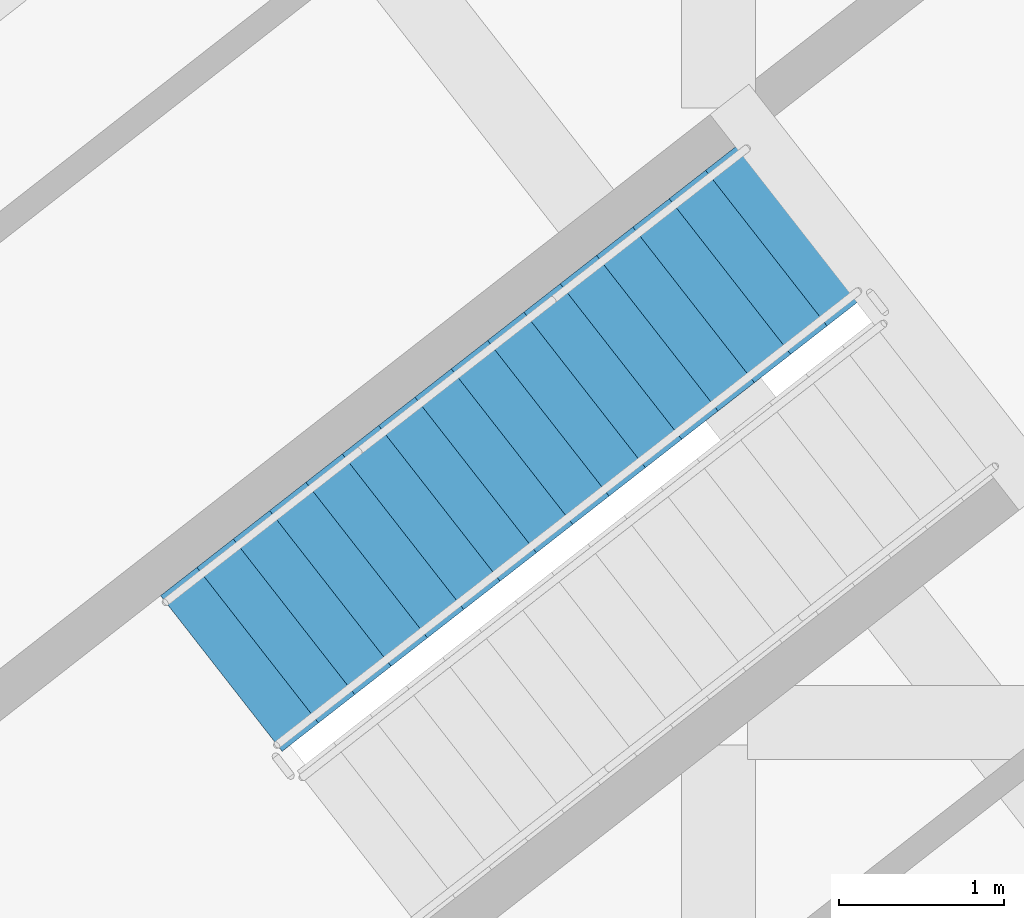
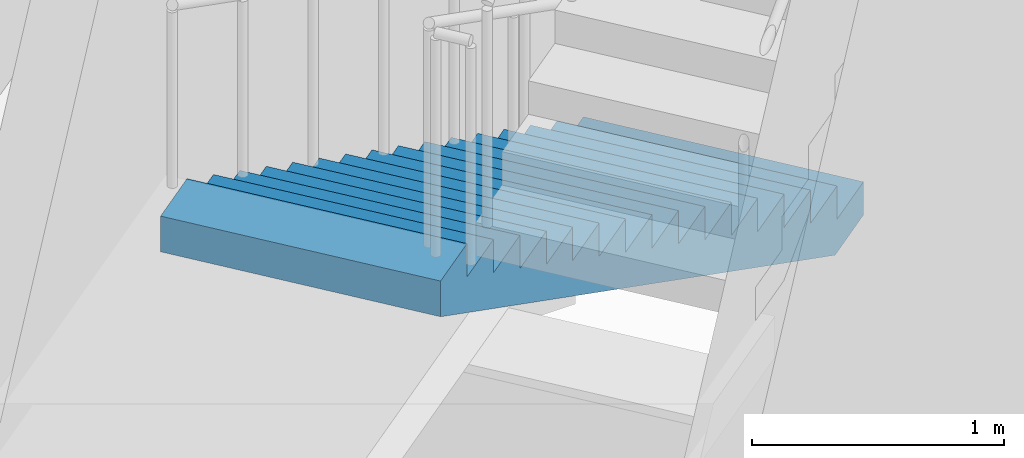
# One storey, part 19 of 23: 1 stair flight, 1 element without a shape of its own.
"""IFC4 building model written with IfcOpenShell, lengths in metres."""

from ifc_helpers import new_model, si_unit, direction, frame, origin, place, context, subcontext, project, spatial, faceted_brep, material, type_object, element, aggregate, save


model = new_model("IFC4")

# Units and contexts
model_context = context("Model", 3, precision=1e-05, world=origin(), true_north=direction((0.0, 1.0)))
body_context = subcontext(model_context, "Body", "Model", "MODEL_VIEW")
ifc_project = project(units=[si_unit("LENGTHUNIT", "METRE"), si_unit("AREAUNIT", "SQUARE_METRE"), si_unit("VOLUMEUNIT", "CUBIC_METRE"), si_unit("PLANEANGLEUNIT", "RADIAN"), si_unit("MASSUNIT", "GRAM", prefix="KILO")], contexts=[model_context])

# Site, building, storey
site_placement = place(None, origin())
site = spatial("IfcSite", under=ifc_project, at=site_placement, CompositionType="ELEMENT")
building_placement = place(site_placement, origin())
building = spatial("IfcBuilding", under=site, at=building_placement, Name="Tarsis Ring Headquarters", CompositionType="ELEMENT")
storey_placement = place(building_placement, frame((0.0, 0.0, 19.5)))
storey = spatial("IfcBuildingStorey", under=building, at=storey_placement, Name="L03", CompositionType="ELEMENT", Elevation=19.5)

# Stair, stair flight
ifc_material = material(Name="Concrete C40/50", Category="concrete")
stair_type = type_object("IfcStairType", Name="PO-ST", PredefinedType="HALF_TURN_STAIR", material=ifc_material)
stair_placement = place(storey_placement, origin())
stair = element("IfcStair", 1, at=stair_placement, inside=storey, type_object=stair_type, Name="L03 Podium stair", PredefinedType="HALF_TURN_STAIR")
stair_flight_type = type_object("IfcStairFlightType", Name="PO-STF", PredefinedType="STRAIGHT", material=ifc_material)
stair_flight_placement = place(storey_placement, frame((-17.48779296875, 48.052978515625, 0.0), z_axis=(0.0, 0.0, 1.0), x_axis=(-0.788276433435, -0.615321269331, 0.0)))
stair_flight = element("IfcStairFlight", 2, at=stair_flight_placement, type_object=stair_flight_type, Name="Stair PS4 flight 1", NumberOfRisers=17, NumberOfTreads=16, PredefinedType="STRAIGHT", RiserHeight=0.161764706, TreadLength=0.28, context=body_context, shape_type="Brep", body=[
    faceted_brep([(0.0, 0.60009765625, 0.0), (0.0, 0.60009765625, 0.161865234375), (0.280029296875, 0.60009765625, 0.161865234375), (0.280029296875, 0.60009765625, 0.323486328125), (0.56005859375, 0.60009765625, 0.323486328125), (0.56005859375, 0.60009765625, 0.4853515625), (0.840087890625, 0.60009765625, 0.4853515625), (0.840087890625, 0.60009765625, 0.64697265625), (1.1201171875, 0.60009765625, 0.64697265625), (1.1201171875, 0.60009765625, 0.808837890625), (1.39990234375, 0.60009765625, 0.808837890625), (1.39990234375, 0.60009765625, 0.970703125), (1.679931640625, 0.60009765625, 0.970703125), (1.679931640625, 0.60009765625, 1.13232421875), (1.9599609375, 0.60009765625, 1.13232421875), (1.9599609375, 0.60009765625, 1.294189453125), (2.239990234375, 0.60009765625, 1.294189453125), (2.239990234375, 0.60009765625, 1.455810546875), (2.52001953125, 0.60009765625, 1.455810546875), (2.52001953125, 0.60009765625, 1.61767578125), (2.800048828125, 0.60009765625, 1.61767578125), (2.800048828125, 0.60009765625, 1.779296875), (3.080078125, 0.60009765625, 1.779296875), (3.080078125, 0.60009765625, 1.941162109375), (3.360107421875, 0.60009765625, 1.941162109375), (3.360107421875, 0.60009765625, 2.10302734375), (3.639892578125, 0.60009765625, 2.10302734375), (3.639892578125, 0.60009765625, 2.2646484375), (3.919921875, 0.60009765625, 2.2646484375), (3.919921875, 0.60009765625, 2.426513671875), (4.199951171875, 0.60009765625, 2.426513671875), (4.199951171875, 0.60009765625, 2.588134765625), (4.47998046875, 0.60009765625, 2.588134765625), (4.47998046875, 0.60009765625, 2.4150390625), (0.299560546875, 0.60009765625, 0.0), (0.299560546875, -0.60009765625, 0.0), (4.47998046875, -0.60009765625, 2.4150390625), (4.47998046875, -0.60009765625, 2.588134765625), (4.199951171875, -0.60009765625, 2.588134765625), (4.199951171875, -0.60009765625, 2.426513671875), (3.919921875, -0.60009765625, 2.426513671875), (3.919921875, -0.60009765625, 2.2646484375), (3.639892578125, -0.60009765625, 2.2646484375), (3.639892578125, -0.60009765625, 2.10302734375), (3.360107421875, -0.60009765625, 2.10302734375), (3.360107421875, -0.60009765625, 1.941162109375), (3.080078125, -0.60009765625, 1.941162109375), (3.080078125, -0.60009765625, 1.779296875), (2.800048828125, -0.60009765625, 1.779296875), (2.800048828125, -0.60009765625, 1.61767578125), (2.52001953125, -0.60009765625, 1.61767578125), (2.52001953125, -0.60009765625, 1.455810546875), (2.239990234375, -0.60009765625, 1.455810546875), (2.239990234375, -0.60009765625, 1.294189453125), (1.9599609375, -0.60009765625, 1.294189453125), (1.9599609375, -0.60009765625, 1.13232421875), (1.679931640625, -0.60009765625, 1.13232421875), (1.679931640625, -0.60009765625, 0.970703125), (1.39990234375, -0.60009765625, 0.970703125), (1.39990234375, -0.60009765625, 0.808837890625), (1.1201171875, -0.60009765625, 0.808837890625), (1.1201171875, -0.60009765625, 0.64697265625), (0.840087890625, -0.60009765625, 0.64697265625), (0.840087890625, -0.60009765625, 0.4853515625), (0.56005859375, -0.60009765625, 0.4853515625), (0.56005859375, -0.60009765625, 0.323486328125), (0.280029296875, -0.60009765625, 0.323486328125), (0.280029296875, -0.60009765625, 0.161865234375), (0.0, -0.60009765625, 0.161865234375), (0.0, -0.60009765625, 0.0), (0.0, -0.300048828125, 0.161865234375), (0.0, -0.300048828125, 0.0), (0.0, 0.0, 0.161865234375), (0.0, 0.0, 0.0), (0.0, 0.300048828125, 0.161865234375), (0.0, 0.300048828125, 0.0), (0.280029296875, -0.300048828125, 0.161865234375), (0.280029296875, 0.0, 0.161865234375), (0.280029296875, 0.300048828125, 0.161865234375), (0.280029296875, -0.300048828125, 0.323486328125), (0.280029296875, 0.0, 0.323486328125), (0.280029296875, 0.300048828125, 0.323486328125), (0.56005859375, -0.300048828125, 0.323486328125), (0.56005859375, 0.0, 0.323486328125), (0.56005859375, 0.300048828125, 0.323486328125), (0.56005859375, -0.300048828125, 0.4853515625), (0.56005859375, 0.0, 0.4853515625), (0.56005859375, 0.300048828125, 0.4853515625), (0.840087890625, -0.300048828125, 0.4853515625), (0.840087890625, 0.0, 0.4853515625), (0.840087890625, 0.300048828125, 0.4853515625), (0.840087890625, -0.300048828125, 0.64697265625), (0.840087890625, 0.0, 0.64697265625), (0.840087890625, 0.300048828125, 0.64697265625), (1.1201171875, -0.300048828125, 0.64697265625), (1.1201171875, 0.0, 0.64697265625), (1.1201171875, 0.300048828125, 0.64697265625), (1.1201171875, -0.300048828125, 0.808837890625), (1.1201171875, 0.0, 0.808837890625), (1.1201171875, 0.300048828125, 0.808837890625), (1.39990234375, -0.300048828125, 0.808837890625), (1.39990234375, 0.0, 0.808837890625), (1.39990234375, 0.300048828125, 0.808837890625), (1.39990234375, -0.300048828125, 0.970703125), (1.39990234375, 0.0, 0.970703125), (1.39990234375, 0.300048828125, 0.970703125), (1.679931640625, -0.300048828125, 0.970703125), (1.679931640625, 0.0, 0.970703125), (1.679931640625, 0.300048828125, 0.970703125), (1.679931640625, -0.300048828125, 1.13232421875), (1.679931640625, 0.0, 1.13232421875), (1.679931640625, 0.300048828125, 1.13232421875), (1.9599609375, -0.300048828125, 1.13232421875), (1.9599609375, 0.0, 1.13232421875), (1.9599609375, 0.300048828125, 1.13232421875), (1.9599609375, -0.300048828125, 1.294189453125), (1.9599609375, 0.0, 1.294189453125), (1.9599609375, 0.300048828125, 1.294189453125), (2.239990234375, -0.300048828125, 1.294189453125), (2.239990234375, 0.0, 1.294189453125), (2.239990234375, 0.300048828125, 1.294189453125), (2.239990234375, -0.300048828125, 1.455810546875), (2.239990234375, 0.0, 1.455810546875), (2.239990234375, 0.300048828125, 1.455810546875), (2.52001953125, -0.300048828125, 1.455810546875), (2.52001953125, 0.0, 1.455810546875), (2.52001953125, 0.300048828125, 1.455810546875), (2.52001953125, -0.300048828125, 1.61767578125), (2.52001953125, 0.0, 1.61767578125), (2.52001953125, 0.300048828125, 1.61767578125), (2.800048828125, -0.300048828125, 1.61767578125), (2.800048828125, 0.0, 1.61767578125), (2.800048828125, 0.300048828125, 1.61767578125), (2.800048828125, -0.300048828125, 1.779296875), (2.800048828125, 0.0, 1.779296875), (2.800048828125, 0.300048828125, 1.779296875), (3.080078125, -0.300048828125, 1.779296875), (3.080078125, 0.0, 1.779296875), (3.080078125, 0.300048828125, 1.779296875), (3.080078125, -0.300048828125, 1.941162109375), (3.080078125, 0.0, 1.941162109375), (3.080078125, 0.300048828125, 1.941162109375), (3.360107421875, -0.300048828125, 1.941162109375), (3.360107421875, 0.0, 1.941162109375), (3.360107421875, 0.300048828125, 1.941162109375), (3.360107421875, -0.300048828125, 2.10302734375), (3.360107421875, 0.0, 2.10302734375), (3.360107421875, 0.300048828125, 2.10302734375), (3.639892578125, -0.300048828125, 2.10302734375), (3.639892578125, 0.0, 2.10302734375), (3.639892578125, 0.300048828125, 2.10302734375), (3.639892578125, -0.300048828125, 2.2646484375), (3.639892578125, 0.0, 2.2646484375), (3.639892578125, 0.300048828125, 2.2646484375), (3.919921875, -0.300048828125, 2.2646484375), (3.919921875, 0.0, 2.2646484375), (3.919921875, 0.300048828125, 2.2646484375), (3.919921875, -0.300048828125, 2.426513671875), (3.919921875, 0.0, 2.426513671875), (3.919921875, 0.300048828125, 2.426513671875), (4.199951171875, -0.300048828125, 2.426513671875), (4.199951171875, 0.0, 2.426513671875), (4.199951171875, 0.300048828125, 2.426513671875), (4.199951171875, -0.300048828125, 2.588134765625), (4.199951171875, 0.0, 2.588134765625), (4.199951171875, 0.300048828125, 2.588134765625), (4.47998046875, -0.300048828125, 2.588134765625), (4.47998046875, 0.0, 2.588134765625), (4.47998046875, 0.300048828125, 2.588134765625), (4.47998046875, -0.300048828125, 2.4150390625), (4.47998046875, 0.0, 2.4150390625), (4.47998046875, 0.300048828125, 2.4150390625), (0.299560546875, -0.300048828125, 0.0), (0.299560546875, 0.0, 0.0), (0.299560546875, 0.300048828125, 0.0)], [[[0, 1, 2, 3, 4, 5, 6, 7, 8, 9, 10, 11, 12, 13, 14, 15, 16, 17, 18, 19, 20, 21, 22, 23, 24, 25, 26, 27, 28, 29, 30, 31, 32, 33, 34]], [[35, 36, 37, 38, 39, 40, 41, 42, 43, 44, 45, 46, 47, 48, 49, 50, 51, 52, 53, 54, 55, 56, 57, 58, 59, 60, 61, 62, 63, 64, 65, 66, 67, 68, 69]], [[69, 68, 70, 71]], [[71, 70, 72, 73]], [[73, 72, 74, 75]], [[75, 74, 1, 0]], [[68, 67, 76, 70]], [[70, 76, 77, 72]], [[72, 77, 78, 74]], [[74, 78, 2, 1]], [[67, 66, 79, 76]], [[76, 79, 80, 77]], [[77, 80, 81, 78]], [[78, 81, 3, 2]], [[66, 65, 82, 79]], [[79, 82, 83, 80]], [[80, 83, 84, 81]], [[81, 84, 4, 3]], [[65, 64, 85, 82]], [[82, 85, 86, 83]], [[83, 86, 87, 84]], [[84, 87, 5, 4]], [[64, 63, 88, 85]], [[85, 88, 89, 86]], [[86, 89, 90, 87]], [[87, 90, 6, 5]], [[63, 62, 91, 88]], [[88, 91, 92, 89]], [[89, 92, 93, 90]], [[90, 93, 7, 6]], [[62, 61, 94, 91]], [[91, 94, 95, 92]], [[92, 95, 96, 93]], [[93, 96, 8, 7]], [[61, 60, 97, 94]], [[94, 97, 98, 95]], [[95, 98, 99, 96]], [[96, 99, 9, 8]], [[60, 59, 100, 97]], [[97, 100, 101, 98]], [[98, 101, 102, 99]], [[99, 102, 10, 9]], [[59, 58, 103, 100]], [[100, 103, 104, 101]], [[101, 104, 105, 102]], [[102, 105, 11, 10]], [[58, 57, 106, 103]], [[103, 106, 107, 104]], [[104, 107, 108, 105]], [[105, 108, 12, 11]], [[57, 56, 109, 106]], [[106, 109, 110, 107]], [[107, 110, 111, 108]], [[108, 111, 13, 12]], [[56, 55, 112, 109]], [[109, 112, 113, 110]], [[110, 113, 114, 111]], [[111, 114, 14, 13]], [[55, 54, 115, 112]], [[112, 115, 116, 113]], [[113, 116, 117, 114]], [[114, 117, 15, 14]], [[54, 53, 118, 115]], [[115, 118, 119, 116]], [[116, 119, 120, 117]], [[117, 120, 16, 15]], [[53, 52, 121, 118]], [[118, 121, 122, 119]], [[119, 122, 123, 120]], [[120, 123, 17, 16]], [[52, 51, 124, 121]], [[121, 124, 125, 122]], [[122, 125, 126, 123]], [[123, 126, 18, 17]], [[51, 50, 127, 124]], [[124, 127, 128, 125]], [[125, 128, 129, 126]], [[126, 129, 19, 18]], [[50, 49, 130, 127]], [[127, 130, 131, 128]], [[128, 131, 132, 129]], [[129, 132, 20, 19]], [[49, 48, 133, 130]], [[130, 133, 134, 131]], [[131, 134, 135, 132]], [[132, 135, 21, 20]], [[48, 47, 136, 133]], [[133, 136, 137, 134]], [[134, 137, 138, 135]], [[135, 138, 22, 21]], [[47, 46, 139, 136]], [[136, 139, 140, 137]], [[137, 140, 141, 138]], [[138, 141, 23, 22]], [[46, 45, 142, 139]], [[139, 142, 143, 140]], [[140, 143, 144, 141]], [[141, 144, 24, 23]], [[45, 44, 145, 142]], [[142, 145, 146, 143]], [[143, 146, 147, 144]], [[144, 147, 25, 24]], [[44, 43, 148, 145]], [[145, 148, 149, 146]], [[146, 149, 150, 147]], [[147, 150, 26, 25]], [[43, 42, 151, 148]], [[148, 151, 152, 149]], [[149, 152, 153, 150]], [[150, 153, 27, 26]], [[42, 41, 154, 151]], [[151, 154, 155, 152]], [[152, 155, 156, 153]], [[153, 156, 28, 27]], [[41, 40, 157, 154]], [[154, 157, 158, 155]], [[155, 158, 159, 156]], [[156, 159, 29, 28]], [[40, 39, 160, 157]], [[157, 160, 161, 158]], [[158, 161, 162, 159]], [[159, 162, 30, 29]], [[39, 38, 163, 160]], [[160, 163, 164, 161]], [[161, 164, 165, 162]], [[162, 165, 31, 30]], [[38, 37, 166, 163]], [[163, 166, 167, 164]], [[164, 167, 168, 165]], [[165, 168, 32, 31]], [[37, 36, 169, 166]], [[166, 169, 170, 167]], [[167, 170, 171, 168]], [[168, 171, 33, 32]], [[36, 35, 172, 169]], [[169, 172, 173, 170]], [[170, 173, 174, 171]], [[171, 174, 34, 33]], [[35, 69, 71, 172]], [[172, 71, 73, 173]], [[173, 73, 75, 174]], [[174, 75, 0, 34]]]),
])
aggregate(stair, [stair_flight])

save(model, "model.ifc")
